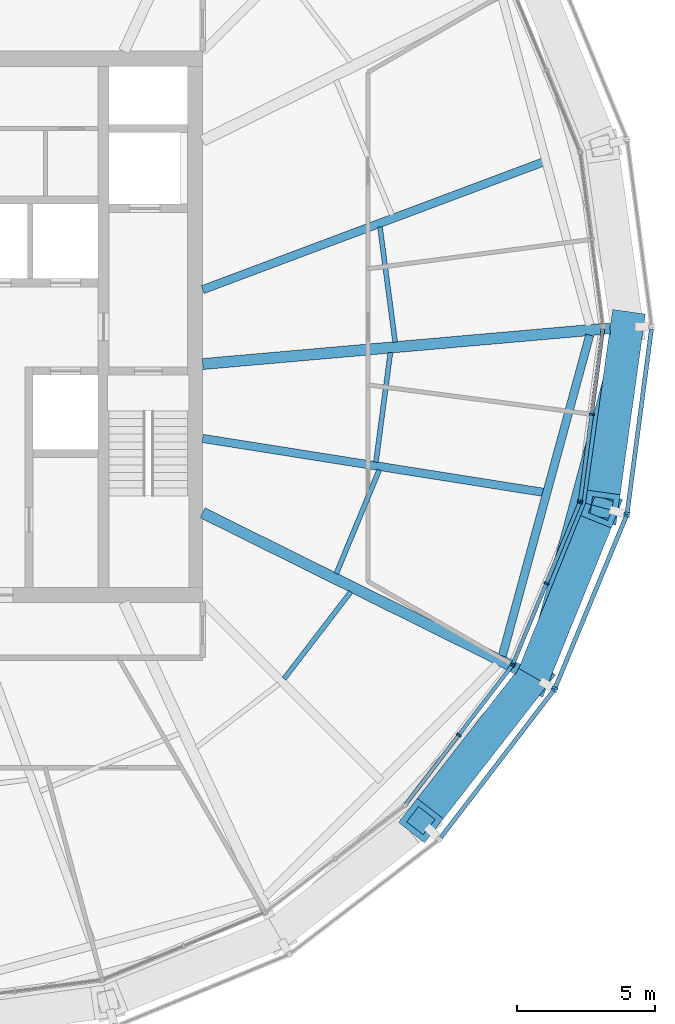
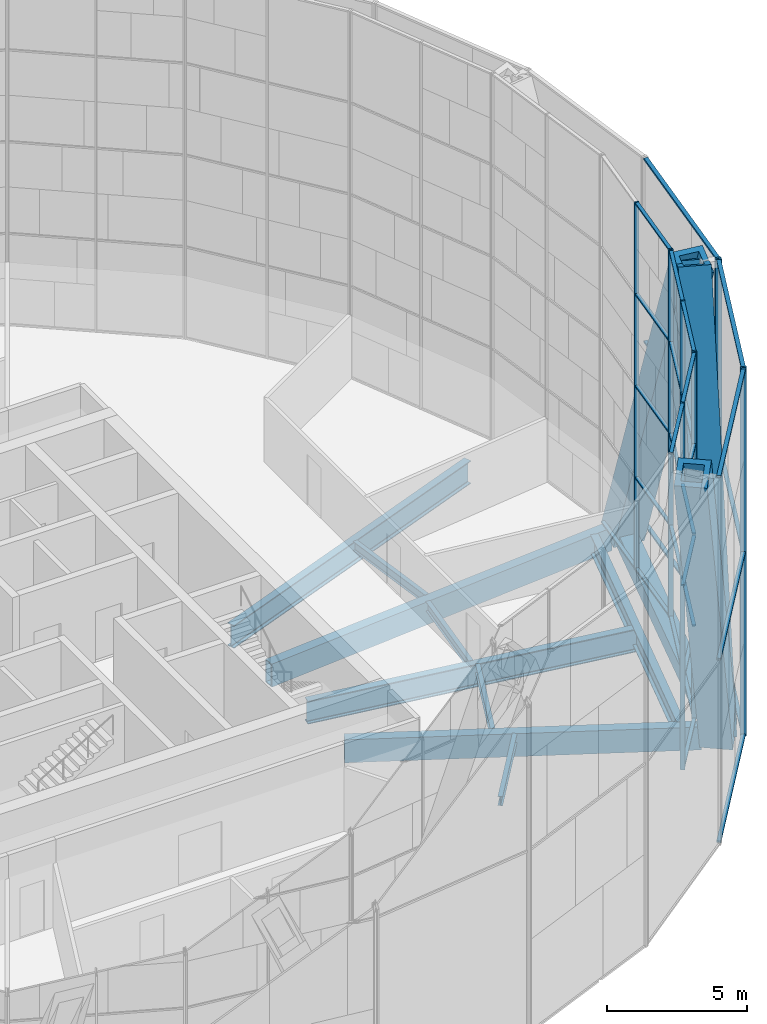
# One storey, part 6 of 29: 45 members, 10 beams, 6 elements without a shape of their own.
"""IFC4 building model written with IfcOpenShell, lengths in metres."""

from ifc_helpers import new_model, si_unit, direction, frame, origin, origin_2d, place, context, subcontext, project, spatial, rectangle, hollow_rectangle, i_section, extrude, material, material_profile, profile_set, type_object, element, aggregate, save


model = new_model("IFC4")

# Units and contexts
model_context = context("Model", 3, precision=1e-05, world=origin(), true_north=direction((0.0, 1.0)))
body_context = subcontext(model_context, "Body", "Model", "MODEL_VIEW")
ifc_project = project(units=[si_unit("LENGTHUNIT", "METRE"), si_unit("AREAUNIT", "SQUARE_METRE"), si_unit("VOLUMEUNIT", "CUBIC_METRE"), si_unit("PLANEANGLEUNIT", "RADIAN"), si_unit("MASSUNIT", "GRAM", prefix="KILO")], contexts=[model_context])

# Site, building, storey
site_placement = place(None, origin())
site = spatial("IfcSite", under=ifc_project, at=site_placement, CompositionType="ELEMENT")
building_placement = place(site_placement, origin())
building = spatial("IfcBuilding", under=site, at=building_placement, Name="Golbaran Civic Tower", CompositionType="ELEMENT")
storey_placement = place(building_placement, frame((0.0, 0.0, 118.0)))
storey = spatial("IfcBuildingStorey", under=building, at=storey_placement, Name="L28", CompositionType="ELEMENT", Elevation=118.0)

# Members
ifc_material_1 = material(Name="Steel S355", Category="steel")
ifc_material_profile_1 = material_profile(ifc_material_1, hollow_rectangle(XDim=1.199951171875, YDim=1.199951171875, WallThickness=0.219970703125, at=origin_2d()), Name="BOX 1200x1200x220")
ifc_profile_set_1 = profile_set([ifc_material_profile_1], Name="Steel S355")
member_type_1 = type_object("IfcMemberType", Name="DIAGRID DIAGONAL BOX 1200x1200x220", PredefinedType="BRACE", material=ifc_profile_set_1)
member_1_placement = place(storey_placement, frame((25.39306640625, 0.0, -0.7099609375), z_axis=(-0.052927158382, -0.378752046555, 0.923983551334), x_axis=(0.990376946699, -0.138396182918, 0.0)))
element("IfcMember", 1, at=member_1_placement, inside=storey, type_object=member_type_1, Name="Diagonal D06-00L L28-L32", PredefinedType="BRACE", context=body_context, shape_type="SweptSolid", body=[
    extrude(hollow_rectangle(XDim=1.199951171875, YDim=1.199951171875, WallThickness=0.219970703125, at=origin_2d()), origin(), (0.0, 0.0, 1.0), 17.31640625),
])
for number, where, z_axis, x_axis, name in (
    (2, (21.990966796875, -12.696533203125, -0.7099609375), (0.143541229562, 0.3544612565, 0.92398762603), (-0.926884217271, 0.375347369478, 0.0), "Diagonal D06-11R L28-L32"),
    (3, (21.990966796875, -12.696533203125, -0.7099609375), (-0.235212402726, -0.301533756345, 0.923987293954), (0.788481923563, -0.615057929153, 0.0), "Diagonal D06-11L L28-L32"),
):
    element("IfcMember", number, at=place(storey_placement, frame(where, z_axis=z_axis, x_axis=x_axis)), inside=storey, type_object=member_type_1, Name=name, PredefinedType="BRACE", context=body_context, shape_type="SweptSolid", body=[
        extrude(hollow_rectangle(XDim=1.199951171875, YDim=1.199951171875, WallThickness=0.219970703125, at=origin_2d()), origin(), (0.0, 0.0, 1.0), 17.316162109375),
    ])

# Beams
ifc_material_profile_2 = material_profile(ifc_material_1, hollow_rectangle(XDim=0.699951171875, YDim=0.699951171875, WallThickness=0.080078125, at=origin_2d()), Name="BOX 700x700x80")
ifc_profile_set_2 = profile_set([ifc_material_profile_2], Name="Steel S355")
beam_type_1 = type_object("IfcBeamType", Name="DIAGRID RING TIE BOX 700x700x80", PredefinedType="BEAM", material=ifc_profile_set_2)
beam_1_placement = place(storey_placement, frame((21.990966796875, -12.696533203125, -0.7099609375), z_axis=(0.258824282894, 0.965924422812, 0.0), x_axis=(-0.965924422812, 0.258824282894, 0.0)))
element("IfcBeam", 4, at=beam_1_placement, inside=storey, type_object=beam_type_1, Name="Ring tie 330.00 L28", PredefinedType="BEAM", context=body_context, shape_type="SweptSolid", body=[
    extrude(hollow_rectangle(XDim=0.699951171875, YDim=0.699951171875, WallThickness=0.080078125, at=origin_2d()), origin(), (0.0, 0.0, 1.0), 13.14453125),
])
ifc_material_profile_3 = material_profile(ifc_material_1, i_section(OverallWidth=0.300048828125, OverallDepth=0.800048828125, WebThickness=0.017578125, FlangeThickness=0.032958984375, FilletRadius=0.030029296875, at=origin_2d()), Name="HEB 800")
ifc_profile_set_3 = profile_set([ifc_material_profile_3], Name="Steel S355")
beam_type_2 = type_object("IfcBeamType", Name="EDGE BEAM HEB 800", PredefinedType="BEAM", material=ifc_profile_set_3)
beam_2_placement = place(storey_placement, frame((20.873046875, -11.941162109375, -0.60009765625), z_axis=(0.262754426277, 0.964862742296, 0.0), x_axis=(-0.964862742296, 0.262754426277, 0.0)))
element("IfcBeam", 5, at=beam_2_placement, inside=storey, type_object=beam_type_2, Name="Edge beam 330.00 L28", PredefinedType="BEAM", context=body_context, shape_type="SweptSolid", body=[
    extrude(i_section(OverallWidth=0.300048828125, OverallDepth=0.800048828125, WebThickness=0.017578125, FlangeThickness=0.032958984375, FilletRadius=0.030029296875, at=origin_2d()), origin(), (0.0, 0.0, 1.0), 12.066162109375),
])
ifc_material_profile_4 = material_profile(ifc_material_1, i_section(OverallWidth=0.179931640625, OverallDepth=0.39990234375, WebThickness=0.008544921875, FlangeThickness=0.013427734375, FilletRadius=0.02099609375, at=origin_2d()), Name="IPE 400")
ifc_profile_set_4 = profile_set([ifc_material_profile_4], Name="Steel S355")
beam_type_3 = type_object("IfcBeamType", Name="FLOOR INFILL BEAM IPE 400", PredefinedType="BEAM", material=ifc_profile_set_4)
beam_3_placement = place(storey_placement, frame((16.984130859375, -0.556884765625, -0.39990234375), z_axis=(-0.130505458178, 0.991447590842, 0.0), x_axis=(-0.991447590842, -0.130505458178, 0.0)))
element("IfcBeam", 6, at=beam_3_placement, inside=storey, type_object=beam_type_3, Name="Infill beam 7.50 L28", PredefinedType="BEAM", context=body_context, shape_type="SweptSolid", body=[
    extrude(i_section(OverallWidth=0.179931640625, OverallDepth=0.39990234375, WebThickness=0.008544921875, FlangeThickness=0.013427734375, FilletRadius=0.02099609375, at=origin_2d()), origin(), (0.0, 0.0, 1.0), 4.21484375),
])
beam_4_placement = place(storey_placement, frame((12.9541015625, -12.770263671875, -0.39990234375), z_axis=(0.608757665926, 0.793356227792, 0.0), x_axis=(-0.793356227792, 0.608757665926, 0.0)))
element("IfcBeam", 7, at=beam_4_placement, inside=storey, type_object=beam_type_3, Name="Infill beam 322.50 L28", PredefinedType="BEAM", context=body_context, shape_type="SweptSolid", body=[
    extrude(i_section(OverallWidth=0.179931640625, OverallDepth=0.39990234375, WebThickness=0.008544921875, FlangeThickness=0.013427734375, FilletRadius=0.02099609375, at=origin_2d()), origin(), (0.0, 0.0, 1.0), 3.9755859375),
])
beam_5_placement = place(storey_placement, frame((14.8486328125, -8.95361328125, -0.39990234375), z_axis=(0.382722767832, 0.923863238246, 0.0), x_axis=(-0.923863238246, 0.382722767832, 0.0)))
element("IfcBeam", 8, at=beam_5_placement, inside=storey, type_object=beam_type_3, Name="Infill beam 337.50 L28", PredefinedType="BEAM", context=body_context, shape_type="SweptSolid", body=[
    extrude(i_section(OverallWidth=0.179931640625, OverallDepth=0.39990234375, WebThickness=0.008544921875, FlangeThickness=0.013427734375, FilletRadius=0.02099609375, at=origin_2d()), origin(), (0.0, 0.0, 1.0), 4.068603515625),
])
beam_6_placement = place(storey_placement, frame((16.28662109375, -4.912841796875, -0.39990234375), z_axis=(0.130530035983, 0.991444355325, 0.0), x_axis=(-0.991444355325, 0.130530035983, 0.0)))
element("IfcBeam", 9, at=beam_6_placement, inside=storey, type_object=beam_type_3, Name="Infill beam 352.50 L28", PredefinedType="BEAM", context=body_context, shape_type="SweptSolid", body=[
    extrude(i_section(OverallWidth=0.179931640625, OverallDepth=0.39990234375, WebThickness=0.008544921875, FlangeThickness=0.013427734375, FilletRadius=0.02099609375, at=origin_2d()), origin(), (0.0, 0.0, 1.0), 4.013916015625),
])

# Curtain wall, members
ifc_material_2 = material(Name="Aluminium and glass", Category="aluminium")
curtain_wall_type_1 = type_object("IfcCurtainWallType", Name="INNER SKIN CURTAIN WALL", PredefinedType="NOTDEFINED", material=ifc_material_2)
curtain_wall_1_placement = place(storey_placement, origin())
curtain_wall_1 = element("IfcCurtainWall", 10, at=curtain_wall_1_placement, inside=storey, type_object=curtain_wall_type_1, Name="Inner skin L28 facet 22 CW1", ObjectType="INNER SKIN", PredefinedType="USERDEFINED")
ifc_material_3 = material(Name="Aluminium", Category="aluminium")
ifc_material_profile_5 = material_profile(ifc_material_3, rectangle(XDim=0.179931640625, YDim=0.06494140625, at=origin_2d()), Name="INNER SKIN CURTAIN WALL MULLION")
ifc_profile_set_5 = profile_set([ifc_material_profile_5], Name="Aluminium")
member_type_2 = type_object("IfcMemberType", Name="INNER SKIN CURTAIN WALL MULLION", PredefinedType="MULLION", material=ifc_profile_set_5)
member_2_placement = place(storey_placement, frame((19.297607421875, -14.8076171875, 0.0), z_axis=(0.0, 0.0, 1.0), x_axis=(-0.793353340376, 0.608761428898, 0.0)))
member_2 = element("IfcMember", 11, at=member_2_placement, type_object=member_type_2, Name="CW1 mullion 2", PredefinedType="MULLION", context=body_context, shape_type="SweptSolid", body=[
    extrude(rectangle(XDim=0.179931640625, YDim=0.06494140625, at=origin_2d()), origin(), (0.0, 0.0, 1.0), 16.0),
])
member_3_placement = place(storey_placement, frame((21.227294921875, -12.292724609375, 0.0), z_axis=(0.0, 0.0, 1.0), x_axis=(-0.793353340376, 0.608761428898, 0.0)))
member_3 = element("IfcMember", 12, at=member_3_placement, type_object=member_type_2, Name="CW1 mullion 3", PredefinedType="MULLION", context=body_context, shape_type="SweptSolid", body=[
    extrude(rectangle(XDim=0.179931640625, YDim=0.06494140625, at=origin_2d()), origin(), (0.0, 0.0, 1.0), 16.0),
])

curtain_wall_2_placement = place(storey_placement, origin())
curtain_wall_2 = element("IfcCurtainWall", 13, at=curtain_wall_2_placement, inside=storey, type_object=curtain_wall_type_1, Name="Inner skin L28 facet 23 CW1", ObjectType="INNER SKIN", PredefinedType="USERDEFINED")
member_4_placement = place(storey_placement, frame((21.259521484375, -12.237060546875, 0.0), z_axis=(0.0, 0.0, 1.0), x_axis=(-0.923879532485, 0.38268343243, 0.0)))
member_4 = element("IfcMember", 14, at=member_4_placement, type_object=member_type_2, Name="CW1 mullion 1", PredefinedType="MULLION", context=body_context, shape_type="SweptSolid", body=[
    extrude(rectangle(XDim=0.179931640625, YDim=0.06494140625, at=origin_2d()), origin(), (0.0, 0.0, 1.0), 16.0),
])
member_5_placement = place(storey_placement, frame((22.47265625, -9.308349609375, 0.0), z_axis=(0.0, 0.0, 1.0), x_axis=(-0.923879532485, 0.38268343243, 0.0)))
member_5 = element("IfcMember", 15, at=member_5_placement, type_object=member_type_2, Name="CW1 mullion 2", PredefinedType="MULLION", context=body_context, shape_type="SweptSolid", body=[
    extrude(rectangle(XDim=0.179931640625, YDim=0.06494140625, at=origin_2d()), origin(), (0.0, 0.0, 1.0), 16.0),
])
member_6_placement = place(storey_placement, frame((23.685546875, -6.3798828125, 0.0), z_axis=(0.0, 0.0, 1.0), x_axis=(-0.923879532485, 0.38268343243, 0.0)))
member_6 = element("IfcMember", 16, at=member_6_placement, type_object=member_type_2, Name="CW1 mullion 3", PredefinedType="MULLION", context=body_context, shape_type="SweptSolid", body=[
    extrude(rectangle(XDim=0.179931640625, YDim=0.06494140625, at=origin_2d()), origin(), (0.0, 0.0, 1.0), 16.0),
])

curtain_wall_3_placement = place(storey_placement, origin())
curtain_wall_3 = element("IfcCurtainWall", 17, at=curtain_wall_3_placement, inside=storey, type_object=curtain_wall_type_1, Name="Inner skin L28 facet 24 CW1", ObjectType="INNER SKIN", PredefinedType="USERDEFINED")
member_7_placement = place(storey_placement, frame((23.7021484375, -6.317626953125, 0.0), z_axis=(0.0, 0.0, 1.0), x_axis=(-0.991444861372, 0.130526192237, 0.0)))
member_7 = element("IfcMember", 18, at=member_7_placement, type_object=member_type_2, Name="CW1 mullion 1", PredefinedType="MULLION", context=body_context, shape_type="SweptSolid", body=[
    extrude(rectangle(XDim=0.179931640625, YDim=0.06494140625, at=origin_2d()), origin(), (0.0, 0.0, 1.0), 16.0),
])
member_8_placement = place(storey_placement, frame((24.115966796875, -3.175048828125, 0.0), z_axis=(0.0, 0.0, 1.0), x_axis=(-0.991444861372, 0.130526192237, 0.0)))
member_8 = element("IfcMember", 19, at=member_8_placement, type_object=member_type_2, Name="CW1 mullion 2", PredefinedType="MULLION", context=body_context, shape_type="SweptSolid", body=[
    extrude(rectangle(XDim=0.179931640625, YDim=0.06494140625, at=origin_2d()), origin(), (0.0, 0.0, 1.0), 16.0),
])

# Member
ifc_material_profile_6 = material_profile(ifc_material_3, rectangle(XDim=0.139892578125, YDim=0.06494140625, at=origin_2d()), Name="INNER SKIN CURTAIN WALL TRANSOM")
ifc_profile_set_6 = profile_set([ifc_material_profile_6], Name="Aluminium")
member_type_3 = type_object("IfcMemberType", Name="INNER SKIN CURTAIN WALL TRANSOM", PredefinedType="USERDEFINED", material=ifc_profile_set_6)
member_9_placement = place(storey_placement, frame((17.3876953125, -17.296630859375, 15.967529296875), z_axis=(0.60874513146, 0.793365845574, 0.0), x_axis=(-0.793365845574, 0.60874513146, 0.0)))
member_9 = element("IfcMember", 20, at=member_9_placement, type_object=member_type_3, Name="CW1 transom 1.5", ObjectType="TRANSOM", PredefinedType="USERDEFINED", context=body_context, shape_type="SweptSolid", body=[
    extrude(rectangle(XDim=0.139892578125, YDim=0.06494140625, at=origin_2d()), origin(), (0.0, 0.0, 1.0), 3.10498046875),
])

member_10_placement = place(storey_placement, frame((19.3173828125, -14.78173828125, 0.032470703125), z_axis=(0.608783107568, 0.793336705277, 0.0), x_axis=(-0.793336705277, 0.608783107568, 0.0)))
member_10 = element("IfcMember", 21, at=member_10_placement, type_object=member_type_3, Name="CW1 transom 2.1", ObjectType="TRANSOM", PredefinedType="USERDEFINED", context=body_context, shape_type="SweptSolid", body=[
    extrude(rectangle(XDim=0.139892578125, YDim=0.06494140625, at=origin_2d()), origin(), (0.0, 0.0, 1.0), 3.104736328125),
])

member_11_placement = place(storey_placement, frame((19.3173828125, -14.78173828125, 4.0), z_axis=(0.608783107568, 0.793336705277, 0.0), x_axis=(-0.793336705277, 0.608783107568, 0.0)))
member_11 = element("IfcMember", 22, at=member_11_placement, type_object=member_type_3, Name="CW1 transom 2.2", ObjectType="TRANSOM", PredefinedType="USERDEFINED", context=body_context, shape_type="SweptSolid", body=[
    extrude(rectangle(XDim=0.139892578125, YDim=0.06494140625, at=origin_2d()), origin(), (0.0, 0.0, 1.0), 3.104736328125),
])

member_12_placement = place(storey_placement, frame((19.3173828125, -14.78173828125, 8.0), z_axis=(0.608783107568, 0.793336705277, 0.0), x_axis=(-0.793336705277, 0.608783107568, 0.0)))
member_12 = element("IfcMember", 23, at=member_12_placement, type_object=member_type_3, Name="CW1 transom 2.3", ObjectType="TRANSOM", PredefinedType="USERDEFINED", context=body_context, shape_type="SweptSolid", body=[
    extrude(rectangle(XDim=0.139892578125, YDim=0.06494140625, at=origin_2d()), origin(), (0.0, 0.0, 1.0), 3.104736328125),
])

member_13_placement = place(storey_placement, frame((19.3173828125, -14.78173828125, 12.0), z_axis=(0.608783107568, 0.793336705277, 0.0), x_axis=(-0.793336705277, 0.608783107568, 0.0)))
member_13 = element("IfcMember", 24, at=member_13_placement, type_object=member_type_3, Name="CW1 transom 2.4", ObjectType="TRANSOM", PredefinedType="USERDEFINED", context=body_context, shape_type="SweptSolid", body=[
    extrude(rectangle(XDim=0.139892578125, YDim=0.06494140625, at=origin_2d()), origin(), (0.0, 0.0, 1.0), 3.104736328125),
])

member_14_placement = place(storey_placement, frame((19.3173828125, -14.78173828125, 15.967529296875), z_axis=(0.608783107568, 0.793336705277, 0.0), x_axis=(-0.793336705277, 0.608783107568, 0.0)))
member_14 = element("IfcMember", 25, at=member_14_placement, type_object=member_type_3, Name="CW1 transom 2.5", ObjectType="TRANSOM", PredefinedType="USERDEFINED", context=body_context, shape_type="SweptSolid", body=[
    extrude(rectangle(XDim=0.139892578125, YDim=0.06494140625, at=origin_2d()), origin(), (0.0, 0.0, 1.0), 3.104736328125),
])

aggregate(curtain_wall_1, [member_2, member_3, member_9, member_10, member_11, member_12, member_13, member_14])

member_15_placement = place(storey_placement, frame((21.27197265625, -12.20703125, 0.032470703125), z_axis=(0.382682804327, 0.923879792653, 0.0), x_axis=(-0.923879792653, 0.382682804327, 0.0)))
member_15 = element("IfcMember", 26, at=member_15_placement, type_object=member_type_3, Name="CW1 transom 1.1", ObjectType="TRANSOM", PredefinedType="USERDEFINED", context=body_context, shape_type="SweptSolid", body=[
    extrude(rectangle(XDim=0.139892578125, YDim=0.06494140625, at=origin_2d()), origin(), (0.0, 0.0, 1.0), 3.10498046875),
])

member_16_placement = place(storey_placement, frame((21.27197265625, -12.20703125, 4.0), z_axis=(0.382682804327, 0.923879792653, 0.0), x_axis=(-0.923879792653, 0.382682804327, 0.0)))
member_16 = element("IfcMember", 27, at=member_16_placement, type_object=member_type_3, Name="CW1 transom 1.2", ObjectType="TRANSOM", PredefinedType="USERDEFINED", context=body_context, shape_type="SweptSolid", body=[
    extrude(rectangle(XDim=0.139892578125, YDim=0.06494140625, at=origin_2d()), origin(), (0.0, 0.0, 1.0), 3.10498046875),
])

member_17_placement = place(storey_placement, frame((21.27197265625, -12.20703125, 8.0), z_axis=(0.382682804327, 0.923879792653, 0.0), x_axis=(-0.923879792653, 0.382682804327, 0.0)))
member_17 = element("IfcMember", 28, at=member_17_placement, type_object=member_type_3, Name="CW1 transom 1.3", ObjectType="TRANSOM", PredefinedType="USERDEFINED", context=body_context, shape_type="SweptSolid", body=[
    extrude(rectangle(XDim=0.139892578125, YDim=0.06494140625, at=origin_2d()), origin(), (0.0, 0.0, 1.0), 3.10498046875),
])

member_18_placement = place(storey_placement, frame((21.27197265625, -12.20703125, 12.0), z_axis=(0.382682804327, 0.923879792653, 0.0), x_axis=(-0.923879792653, 0.382682804327, 0.0)))
member_18 = element("IfcMember", 29, at=member_18_placement, type_object=member_type_3, Name="CW1 transom 1.4", ObjectType="TRANSOM", PredefinedType="USERDEFINED", context=body_context, shape_type="SweptSolid", body=[
    extrude(rectangle(XDim=0.139892578125, YDim=0.06494140625, at=origin_2d()), origin(), (0.0, 0.0, 1.0), 3.10498046875),
])

member_19_placement = place(storey_placement, frame((21.27197265625, -12.20703125, 15.967529296875), z_axis=(0.382682804327, 0.923879792653, 0.0), x_axis=(-0.923879792653, 0.382682804327, 0.0)))
member_19 = element("IfcMember", 30, at=member_19_placement, type_object=member_type_3, Name="CW1 transom 1.5", ObjectType="TRANSOM", PredefinedType="USERDEFINED", context=body_context, shape_type="SweptSolid", body=[
    extrude(rectangle(XDim=0.139892578125, YDim=0.06494140625, at=origin_2d()), origin(), (0.0, 0.0, 1.0), 3.10498046875),
])

member_20_placement = place(storey_placement, frame((22.48486328125, -9.2783203125, 0.032470703125), z_axis=(0.382710605355, 0.923868276622, 0.0), x_axis=(-0.923868276622, 0.382710605355, 0.0)))
member_20 = element("IfcMember", 31, at=member_20_placement, type_object=member_type_3, Name="CW1 transom 2.1", ObjectType="TRANSOM", PredefinedType="USERDEFINED", context=body_context, shape_type="SweptSolid", body=[
    extrude(rectangle(XDim=0.139892578125, YDim=0.06494140625, at=origin_2d()), origin(), (0.0, 0.0, 1.0), 3.104736328125),
])

member_21_placement = place(storey_placement, frame((22.48486328125, -9.2783203125, 4.0), z_axis=(0.382710605355, 0.923868276622, 0.0), x_axis=(-0.923868276622, 0.382710605355, 0.0)))
member_21 = element("IfcMember", 32, at=member_21_placement, type_object=member_type_3, Name="CW1 transom 2.2", ObjectType="TRANSOM", PredefinedType="USERDEFINED", context=body_context, shape_type="SweptSolid", body=[
    extrude(rectangle(XDim=0.139892578125, YDim=0.06494140625, at=origin_2d()), origin(), (0.0, 0.0, 1.0), 3.104736328125),
])

member_22_placement = place(storey_placement, frame((22.48486328125, -9.2783203125, 8.0), z_axis=(0.382710605355, 0.923868276622, 0.0), x_axis=(-0.923868276622, 0.382710605355, 0.0)))
member_22 = element("IfcMember", 33, at=member_22_placement, type_object=member_type_3, Name="CW1 transom 2.3", ObjectType="TRANSOM", PredefinedType="USERDEFINED", context=body_context, shape_type="SweptSolid", body=[
    extrude(rectangle(XDim=0.139892578125, YDim=0.06494140625, at=origin_2d()), origin(), (0.0, 0.0, 1.0), 3.104736328125),
])

member_23_placement = place(storey_placement, frame((22.48486328125, -9.2783203125, 12.0), z_axis=(0.382710605355, 0.923868276622, 0.0), x_axis=(-0.923868276622, 0.382710605355, 0.0)))
member_23 = element("IfcMember", 34, at=member_23_placement, type_object=member_type_3, Name="CW1 transom 2.4", ObjectType="TRANSOM", PredefinedType="USERDEFINED", context=body_context, shape_type="SweptSolid", body=[
    extrude(rectangle(XDim=0.139892578125, YDim=0.06494140625, at=origin_2d()), origin(), (0.0, 0.0, 1.0), 3.104736328125),
])

member_24_placement = place(storey_placement, frame((22.48486328125, -9.2783203125, 15.967529296875), z_axis=(0.382710605355, 0.923868276622, 0.0), x_axis=(-0.923868276622, 0.382710605355, 0.0)))
member_24 = element("IfcMember", 35, at=member_24_placement, type_object=member_type_3, Name="CW1 transom 2.5", ObjectType="TRANSOM", PredefinedType="USERDEFINED", context=body_context, shape_type="SweptSolid", body=[
    extrude(rectangle(XDim=0.139892578125, YDim=0.06494140625, at=origin_2d()), origin(), (0.0, 0.0, 1.0), 3.104736328125),
])

aggregate(curtain_wall_2, [member_4, member_5, member_6, member_15, member_16, member_17, member_18, member_19, member_20, member_21, member_22, member_23, member_24])

member_25_placement = place(storey_placement, frame((23.70654296875, -6.285400390625, 0.032470703125), z_axis=(0.130535878251, 0.991443586136, 0.0), x_axis=(-0.991443586136, 0.130535878251, 0.0)))
member_25 = element("IfcMember", 36, at=member_25_placement, type_object=member_type_3, Name="CW1 transom 1.1", ObjectType="TRANSOM", PredefinedType="USERDEFINED", context=body_context, shape_type="SweptSolid", body=[
    extrude(rectangle(XDim=0.139892578125, YDim=0.06494140625, at=origin_2d()), origin(), (0.0, 0.0, 1.0), 3.104736328125),
])

member_26_placement = place(storey_placement, frame((23.70654296875, -6.285400390625, 4.0), z_axis=(0.130535878251, 0.991443586136, 0.0), x_axis=(-0.991443586136, 0.130535878251, 0.0)))
member_26 = element("IfcMember", 37, at=member_26_placement, type_object=member_type_3, Name="CW1 transom 1.2", ObjectType="TRANSOM", PredefinedType="USERDEFINED", context=body_context, shape_type="SweptSolid", body=[
    extrude(rectangle(XDim=0.139892578125, YDim=0.06494140625, at=origin_2d()), origin(), (0.0, 0.0, 1.0), 3.104736328125),
])

member_27_placement = place(storey_placement, frame((23.70654296875, -6.285400390625, 8.0), z_axis=(0.130535878251, 0.991443586136, 0.0), x_axis=(-0.991443586136, 0.130535878251, 0.0)))
member_27 = element("IfcMember", 38, at=member_27_placement, type_object=member_type_3, Name="CW1 transom 1.3", ObjectType="TRANSOM", PredefinedType="USERDEFINED", context=body_context, shape_type="SweptSolid", body=[
    extrude(rectangle(XDim=0.139892578125, YDim=0.06494140625, at=origin_2d()), origin(), (0.0, 0.0, 1.0), 3.104736328125),
])

member_28_placement = place(storey_placement, frame((23.70654296875, -6.285400390625, 12.0), z_axis=(0.130535878251, 0.991443586136, 0.0), x_axis=(-0.991443586136, 0.130535878251, 0.0)))
member_28 = element("IfcMember", 39, at=member_28_placement, type_object=member_type_3, Name="CW1 transom 1.4", ObjectType="TRANSOM", PredefinedType="USERDEFINED", context=body_context, shape_type="SweptSolid", body=[
    extrude(rectangle(XDim=0.139892578125, YDim=0.06494140625, at=origin_2d()), origin(), (0.0, 0.0, 1.0), 3.104736328125),
])

member_29_placement = place(storey_placement, frame((23.70654296875, -6.285400390625, 15.967529296875), z_axis=(0.130535878251, 0.991443586136, 0.0), x_axis=(-0.991443586136, 0.130535878251, 0.0)))
member_29 = element("IfcMember", 40, at=member_29_placement, type_object=member_type_3, Name="CW1 transom 1.5", ObjectType="TRANSOM", PredefinedType="USERDEFINED", context=body_context, shape_type="SweptSolid", body=[
    extrude(rectangle(XDim=0.139892578125, YDim=0.06494140625, at=origin_2d()), origin(), (0.0, 0.0, 1.0), 3.104736328125),
])

member_30_placement = place(storey_placement, frame((24.120361328125, -3.142822265625, 0.032470703125), z_axis=(0.130525702039, 0.991444925907, 0.0), x_axis=(-0.991444925907, 0.130525702039, 0.0)))
member_30 = element("IfcMember", 41, at=member_30_placement, type_object=member_type_3, Name="CW1 transom 2.1", ObjectType="TRANSOM", PredefinedType="USERDEFINED", context=body_context, shape_type="SweptSolid", body=[
    extrude(rectangle(XDim=0.139892578125, YDim=0.06494140625, at=origin_2d()), origin(), (0.0, 0.0, 1.0), 3.10498046875),
])

aggregate(curtain_wall_3, [member_7, member_8, member_25, member_26, member_27, member_28, member_29, member_30])

# Curtain wall, member
curtain_wall_type_2 = type_object("IfcCurtainWallType", Name="OUTER SKIN TERRACOTTA SCREEN", PredefinedType="NOTDEFINED", material=ifc_material_2)
curtain_wall_4_placement = place(storey_placement, origin())
curtain_wall_4 = element("IfcCurtainWall", 42, at=curtain_wall_4_placement, inside=storey, type_object=curtain_wall_type_2, Name="Outer skin L28 facet 22 CW3", ObjectType="OUTER SKIN", PredefinedType="USERDEFINED")
ifc_material_profile_7 = material_profile(ifc_material_3, rectangle(XDim=0.219970703125, YDim=0.080078125, at=origin_2d()), Name="OUTER SKIN TERRACOTTA SCREEN MULLION")
ifc_profile_set_7 = profile_set([ifc_material_profile_7], Name="Aluminium")
member_type_4 = type_object("IfcMemberType", Name="OUTER SKIN TERRACOTTA SCREEN MULLION", PredefinedType="MULLION", material=ifc_profile_set_7)
member_31_placement = place(storey_placement, frame((22.74609375, -13.17822265625, -0.7099609375), z_axis=(0.0, 0.0, 1.0), x_axis=(-0.793353340302, 0.608761428995, 0.0)))
member_31 = element("IfcMember", 43, at=member_31_placement, type_object=member_type_4, Name="CW3 mullion 2", PredefinedType="MULLION", context=body_context, shape_type="SweptSolid", body=[
    extrude(rectangle(XDim=0.219970703125, YDim=0.080078125, at=origin_2d()), origin(), (0.0, 0.0, 1.0), 16.0),
])

# Curtain wall, members
curtain_wall_5_placement = place(storey_placement, origin())
curtain_wall_5 = element("IfcCurtainWall", 44, at=curtain_wall_5_placement, inside=storey, type_object=curtain_wall_type_2, Name="Outer skin L28 facet 23 CW3", ObjectType="OUTER SKIN", PredefinedType="USERDEFINED")
member_32_placement = place(storey_placement, frame((22.78564453125, -13.109619140625, -0.7099609375), z_axis=(0.0, 0.0, 1.0), x_axis=(-0.923879532505, 0.382683432381, 0.0)))
member_32 = element("IfcMember", 45, at=member_32_placement, type_object=member_type_4, Name="CW3 mullion 1", PredefinedType="MULLION", context=body_context, shape_type="SweptSolid", body=[
    extrude(rectangle(XDim=0.219970703125, YDim=0.080078125, at=origin_2d()), origin(), (0.0, 0.0, 1.0), 16.0),
])
member_33_placement = place(storey_placement, frame((25.3818359375, -6.842041015625, -0.7099609375), z_axis=(0.0, 0.0, 1.0), x_axis=(-0.923879532505, 0.382683432381, 0.0)))
member_33 = element("IfcMember", 46, at=member_33_placement, type_object=member_type_4, Name="CW3 mullion 2", PredefinedType="MULLION", context=body_context, shape_type="SweptSolid", body=[
    extrude(rectangle(XDim=0.219970703125, YDim=0.080078125, at=origin_2d()), origin(), (0.0, 0.0, 1.0), 16.0),
])

# Curtain wall, member
curtain_wall_6_placement = place(storey_placement, origin())
curtain_wall_6 = element("IfcCurtainWall", 47, at=curtain_wall_6_placement, inside=storey, type_object=curtain_wall_type_2, Name="Outer skin L28 facet 24 CW3", ObjectType="OUTER SKIN", PredefinedType="USERDEFINED")
member_34_placement = place(storey_placement, frame((25.40234375, -6.765380859375, -0.7099609375), z_axis=(0.0, 0.0, 1.0), x_axis=(-0.991444861381, 0.130526192168, 0.0)))
member_34 = element("IfcMember", 48, at=member_34_placement, type_object=member_type_4, Name="CW3 mullion 1", PredefinedType="MULLION", context=body_context, shape_type="SweptSolid", body=[
    extrude(rectangle(XDim=0.219970703125, YDim=0.080078125, at=origin_2d()), origin(), (0.0, 0.0, 1.0), 16.0),
])

# Member
ifc_material_profile_8 = material_profile(ifc_material_3, rectangle(XDim=0.159912109375, YDim=0.080078125, at=origin_2d()), Name="OUTER SKIN TERRACOTTA SCREEN TRANSOM")
ifc_profile_set_8 = profile_set([ifc_material_profile_8], Name="Aluminium")
member_type_5 = type_object("IfcMemberType", Name="OUTER SKIN TERRACOTTA SCREEN TRANSOM", PredefinedType="USERDEFINED", material=ifc_profile_set_8)
member_35_placement = place(storey_placement, frame((18.640625, -18.528564453125, -0.669921875), z_axis=(0.608756422165, 0.793357182153, 0.0), x_axis=(-0.793357182153, 0.608756422165, 0.0)))
member_35 = element("IfcMember", 49, at=member_35_placement, type_object=member_type_5, Name="CW3 transom 1.1", ObjectType="TRANSOM", PredefinedType="USERDEFINED", context=body_context, shape_type="SweptSolid", body=[
    extrude(rectangle(XDim=0.159912109375, YDim=0.080078125, at=origin_2d()), origin(), (0.0, 0.0, 1.0), 6.703857421875),
])

member_36_placement = place(storey_placement, frame((18.640625, -18.528564453125, 7.2900390625), z_axis=(0.608756422165, 0.793357182153, 0.0), x_axis=(-0.793357182153, 0.608756422165, 0.0)))
member_36 = element("IfcMember", 50, at=member_36_placement, type_object=member_type_5, Name="CW3 transom 1.2", ObjectType="TRANSOM", PredefinedType="USERDEFINED", context=body_context, shape_type="SweptSolid", body=[
    extrude(rectangle(XDim=0.159912109375, YDim=0.080078125, at=origin_2d()), origin(), (0.0, 0.0, 1.0), 6.703857421875),
])

member_37_placement = place(storey_placement, frame((18.640625, -18.528564453125, 15.25), z_axis=(0.608756422165, 0.793357182153, 0.0), x_axis=(-0.793357182153, 0.608756422165, 0.0)))
member_37 = element("IfcMember", 51, at=member_37_placement, type_object=member_type_5, Name="CW3 transom 1.3", ObjectType="TRANSOM", PredefinedType="USERDEFINED", context=body_context, shape_type="SweptSolid", body=[
    extrude(rectangle(XDim=0.159912109375, YDim=0.080078125, at=origin_2d()), origin(), (0.0, 0.0, 1.0), 6.703857421875),
])

aggregate(curtain_wall_4, [member_31, member_35, member_36, member_37])

member_38_placement = place(storey_placement, frame((22.801025390625, -13.072509765625, -0.669921875), z_axis=(0.382690592899, 0.923876566489, 0.0), x_axis=(-0.923876566489, 0.382690592899, 0.0)))
member_38 = element("IfcMember", 52, at=member_38_placement, type_object=member_type_5, Name="CW3 transom 1.1", ObjectType="TRANSOM", PredefinedType="USERDEFINED", context=body_context, shape_type="SweptSolid", body=[
    extrude(rectangle(XDim=0.159912109375, YDim=0.080078125, at=origin_2d()), origin(), (0.0, 0.0, 1.0), 6.70361328125),
])

member_39_placement = place(storey_placement, frame((22.801025390625, -13.072509765625, 7.2900390625), z_axis=(0.382690592899, 0.923876566489, 0.0), x_axis=(-0.923876566489, 0.382690592899, 0.0)))
member_39 = element("IfcMember", 53, at=member_39_placement, type_object=member_type_5, Name="CW3 transom 1.2", ObjectType="TRANSOM", PredefinedType="USERDEFINED", context=body_context, shape_type="SweptSolid", body=[
    extrude(rectangle(XDim=0.159912109375, YDim=0.080078125, at=origin_2d()), origin(), (0.0, 0.0, 1.0), 6.70361328125),
])

member_40_placement = place(storey_placement, frame((22.801025390625, -13.072509765625, 15.25), z_axis=(0.382690592899, 0.923876566489, 0.0), x_axis=(-0.923876566489, 0.382690592899, 0.0)))
member_40 = element("IfcMember", 54, at=member_40_placement, type_object=member_type_5, Name="CW3 transom 1.3", ObjectType="TRANSOM", PredefinedType="USERDEFINED", context=body_context, shape_type="SweptSolid", body=[
    extrude(rectangle(XDim=0.159912109375, YDim=0.080078125, at=origin_2d()), origin(), (0.0, 0.0, 1.0), 6.70361328125),
])

aggregate(curtain_wall_5, [member_32, member_33, member_38, member_39, member_40])

member_41_placement = place(storey_placement, frame((25.407470703125, -6.725830078125, -0.669921875), z_axis=(0.1305223406, 0.991445368442, 0.0), x_axis=(-0.991445368442, 0.1305223406, 0.0)))
member_41 = element("IfcMember", 55, at=member_41_placement, type_object=member_type_5, Name="CW3 transom 1.1", ObjectType="TRANSOM", PredefinedType="USERDEFINED", context=body_context, shape_type="SweptSolid", body=[
    extrude(rectangle(XDim=0.159912109375, YDim=0.080078125, at=origin_2d()), origin(), (0.0, 0.0, 1.0), 6.703857421875),
])

member_42_placement = place(storey_placement, frame((25.407470703125, -6.725830078125, 7.2900390625), z_axis=(0.1305223406, 0.991445368442, 0.0), x_axis=(-0.991445368442, 0.1305223406, 0.0)))
member_42 = element("IfcMember", 56, at=member_42_placement, type_object=member_type_5, Name="CW3 transom 1.2", ObjectType="TRANSOM", PredefinedType="USERDEFINED", context=body_context, shape_type="SweptSolid", body=[
    extrude(rectangle(XDim=0.159912109375, YDim=0.080078125, at=origin_2d()), origin(), (0.0, 0.0, 1.0), 6.703857421875),
])

member_43_placement = place(storey_placement, frame((25.407470703125, -6.725830078125, 15.25), z_axis=(0.1305223406, 0.991445368442, 0.0), x_axis=(-0.991445368442, 0.1305223406, 0.0)))
member_43 = element("IfcMember", 57, at=member_43_placement, type_object=member_type_5, Name="CW3 transom 1.3", ObjectType="TRANSOM", PredefinedType="USERDEFINED", context=body_context, shape_type="SweptSolid", body=[
    extrude(rectangle(XDim=0.159912109375, YDim=0.080078125, at=origin_2d()), origin(), (0.0, 0.0, 1.0), 6.703857421875),
])

aggregate(curtain_wall_6, [member_34, member_41, member_42, member_43])

# Beams
ifc_material_profile_9 = material_profile(ifc_material_1, hollow_rectangle(XDim=0.39990234375, YDim=1.0, WallThickness=0.0400390625, at=origin_2d()), Name="BOX 1000x400x40")
ifc_profile_set_9 = profile_set([ifc_material_profile_9], Name="Steel S355")
beam_type_4 = type_object("IfcBeamType", Name="RADIAL FLOOR BEAM BOX 1000x400x40", PredefinedType="BEAM", material=ifc_profile_set_9)
beam_7_placement = place(storey_placement, frame((10.0, -1.35009765625, -0.7099609375), z_axis=(0.996175100902, 0.087379450349, 0.0), x_axis=(-0.087379450349, 0.996175100902, 0.0)))
element("IfcBeam", 58, at=beam_7_placement, inside=storey, type_object=beam_type_4, Name="Radial beam 0.00 L28", PredefinedType="BEAM", context=body_context, shape_type="SweptSolid", body=[
    extrude(hollow_rectangle(XDim=0.39990234375, YDim=1.0, WallThickness=0.0400390625, at=origin_2d()), origin(), (0.0, 0.0, 1.0), 14.836181640625),
])
beam_8_placement = place(storey_placement, frame((10.0, -6.75, -0.7099609375), z_axis=(0.895890417993, -0.444275093774, 0.0), x_axis=(0.444275093774, 0.895890417993, 0.0)))
element("IfcBeam", 59, at=beam_8_placement, inside=storey, type_object=beam_type_4, Name="Radial beam 330.00 L28", PredefinedType="BEAM", context=body_context, shape_type="SweptSolid", body=[
    extrude(hollow_rectangle(XDim=0.39990234375, YDim=1.0, WallThickness=0.0400390625, at=origin_2d()), origin(), (0.0, 0.0, 1.0), 12.77197265625),
])
ifc_material_profile_10 = material_profile(ifc_material_1, i_section(OverallWidth=0.300048828125, OverallDepth=1.0, WebThickness=0.01904296875, FlangeThickness=0.035888671875, FilletRadius=0.030029296875, at=origin_2d()), Name="HEB 1000")
ifc_profile_set_10 = profile_set([ifc_material_profile_10], Name="Steel S355")
beam_type_5 = type_object("IfcBeamType", Name="SECONDARY FLOOR BEAM HEB 1000", PredefinedType="BEAM", material=ifc_profile_set_10)
beam_9_placement = place(storey_placement, frame((10.0, 1.35009765625, -0.7099609375), z_axis=(0.936427956916, 0.350859917213, 0.0), x_axis=(-0.350859917213, 0.936427956916, 0.0)))
element("IfcBeam", 60, at=beam_9_placement, inside=storey, type_object=beam_type_5, Name="Secondary beam 15.00 L28", PredefinedType="BEAM", context=body_context, shape_type="SweptSolid", body=[
    extrude(i_section(OverallWidth=0.300048828125, OverallDepth=1.0, WebThickness=0.01904296875, FlangeThickness=0.035888671875, FilletRadius=0.030029296875, at=origin_2d()), origin(), (0.0, 0.0, 1.0), 13.30078125),
])
beam_10_placement = place(storey_placement, frame((10.0, -4.050048828125, -0.7099609375), z_axis=(0.987721113403, -0.156227405206, 0.0), x_axis=(0.156227405206, 0.987721113403, 0.0)))
element("IfcBeam", 61, at=beam_10_placement, inside=storey, type_object=beam_type_5, Name="Secondary beam 345.00 L28", PredefinedType="BEAM", context=body_context, shape_type="SweptSolid", body=[
    extrude(i_section(OverallWidth=0.300048828125, OverallDepth=1.0, WebThickness=0.01904296875, FlangeThickness=0.035888671875, FilletRadius=0.030029296875, at=origin_2d()), origin(), (0.0, 0.0, 1.0), 12.639404296875),
])

save(model, "model.ifc")
